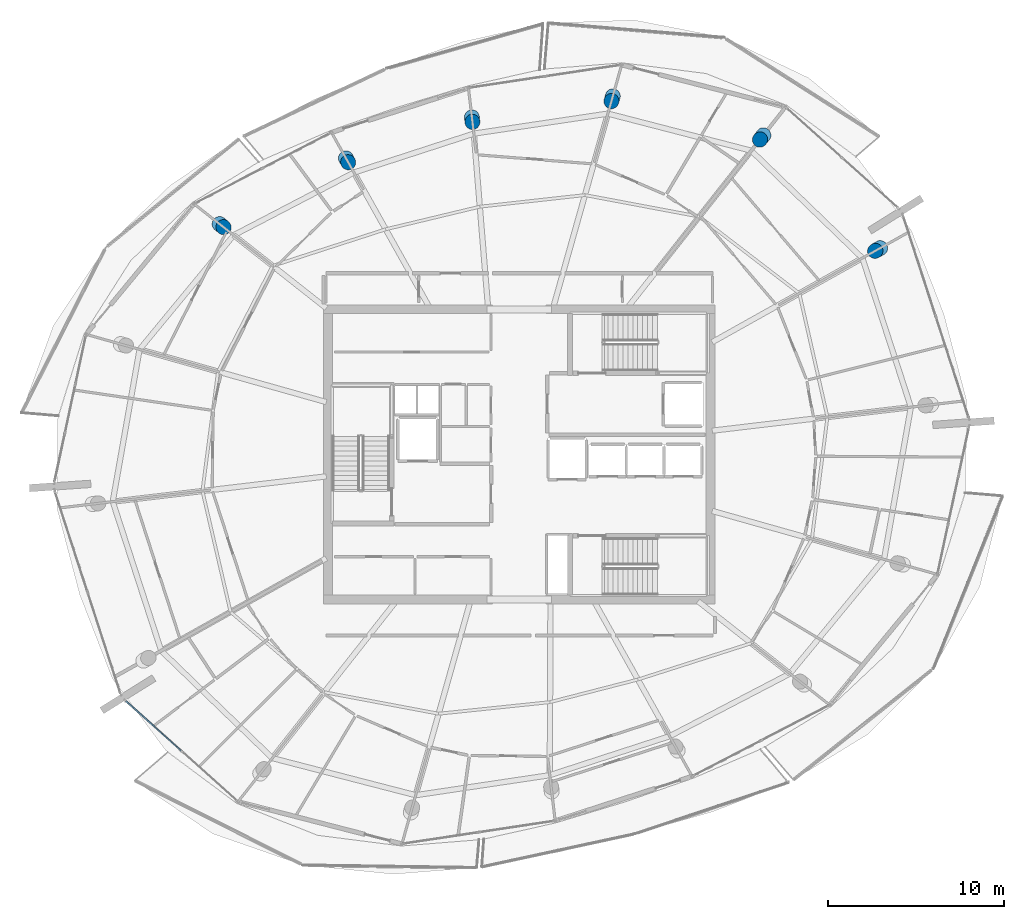
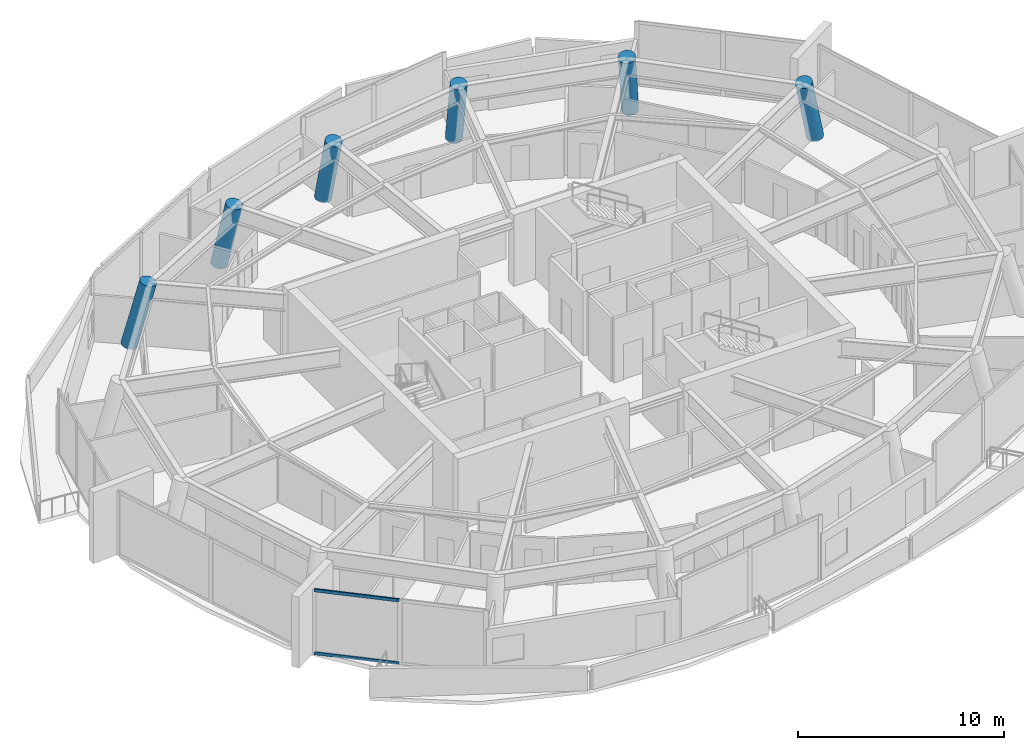
# One storey, part 4 of 19: 6 columns, 2 members, 1 element without a shape of its own.
"""IFC4 building model written with IfcOpenShell, lengths in metres."""

import ifcopenshell
import ifcopenshell.guid

model = None  # the IFC model being written
_history = None  # IfcOwnerHistory: only IFC2X3 demands one
_inside = {}  # id of a spatial element -> (the spatial element, [elements in it])
_under = {}  # id of a project, library or spatial element -> (it, [spatial elements below it])
_declared = {}  # id of a project -> (the project, [libraries it declares])
_typed = {}  # id of a type object -> (the type object, [elements of that type])
_made_of = {}  # id of a material, layer set ... -> (it, [elements and type objects made of it])


def new_model(schema):
    """Start an empty IFC model of exactly this schema.

    Asked for "IFC4X3", IfcOpenShell would pick the latest addendum, in which some entities
    have other attributes; the version numbers below select the first issue.
    IFC2X3 requires an IfcOwnerHistory on every rooted entity: one is made here for all.
    """
    global model, _history
    if schema == "IFC4X3":
        model = ifcopenshell.file(schema_version=(4, 3, 0, 0))
    else:
        model = ifcopenshell.file(schema=schema)
    _inside.clear()
    _under.clear()
    _declared.clear()
    _typed.clear()
    _made_of.clear()
    _history = None
    if model.schema == "IFC2X3":
        org = make("IfcOrganization", Name="unknown")
        user = make(
            "IfcPersonAndOrganization",
            ThePerson=make("IfcPerson", FamilyName="unknown"),
            TheOrganization=org,
        )
        app = make(
            "IfcApplication",
            ApplicationDeveloper=org,
            Version="unknown",
            ApplicationFullName="unknown",
            ApplicationIdentifier="unknown",
        )
        _history = make(
            "IfcOwnerHistory",
            OwningUser=user,
            OwningApplication=app,
            ChangeAction="ADDED",
            CreationDate=0,
        )
    return model


def make(cls, **values):
    """One entity of the class cls with the attributes given. An attribute that is None is left unset."""
    return model.create_entity(
        cls, **{name: value for name, value in values.items() if value is not None}
    )


def rooted(cls, **values):
    """An entity with a GlobalId (a new one), such as an element, a storey or a relation."""
    return make(cls, GlobalId=ifcopenshell.guid.new(), OwnerHistory=_history, **values)


def si_unit(unit_type, name, prefix=None):
    """IfcSIUnit, for example si_unit("LENGTHUNIT", "METRE", prefix="MILLI")."""
    return make("IfcSIUnit", UnitType=unit_type, Prefix=prefix, Name=name)


def assignment(units):
    """IfcUnitAssignment: the units of a project."""
    return None if units is None else make("IfcUnitAssignment", Units=units)


def point(xyz):
    """IfcCartesianPoint."""
    return None if xyz is None else make("IfcCartesianPoint", Coordinates=xyz)


def direction(xyz):
    """IfcDirection."""
    return None if xyz is None else make("IfcDirection", DirectionRatios=xyz)


def frame(location, z_axis=None, x_axis=None):
    """IfcAxis2Placement3D, a coordinate frame: its origin and axes. An axis left out is left unset."""
    return make(
        "IfcAxis2Placement3D",
        Location=point(location),
        Axis=direction(z_axis),
        RefDirection=direction(x_axis),
    )


def frame_2d(location, x_axis=None):
    """IfcAxis2Placement2D, a coordinate frame in the plane: its origin and x axis."""
    return make(
        "IfcAxis2Placement2D", Location=point(location), RefDirection=direction(x_axis)
    )


def origin():
    """The frame at (0, 0, 0) with its axes left unset."""
    return frame((0.0, 0.0, 0.0))


def origin_2d():
    """The frame at (0, 0) in the plane with its x axis left unset."""
    return frame_2d((0.0, 0.0))


def place(relative_to, where):
    """IfcLocalPlacement: puts the frame where relative to a parent placement (None: the world)."""
    return make(
        "IfcLocalPlacement", PlacementRelTo=relative_to, RelativePlacement=where
    )


def context(
    kind, dimensions, precision=None, world=None, true_north=None, identifier=None
):
    """IfcGeometricRepresentationContext, for example the 3D "Model" context."""
    return make(
        "IfcGeometricRepresentationContext",
        ContextIdentifier=identifier,
        ContextType=kind,
        CoordinateSpaceDimension=dimensions,
        Precision=precision,
        WorldCoordinateSystem=world,
        TrueNorth=true_north,
    )


def subcontext(parent, identifier, kind, view, scale=None):
    """IfcGeometricRepresentationSubContext, for example "Body" below "Model"."""
    return make(
        "IfcGeometricRepresentationSubContext",
        ContextIdentifier=identifier,
        ContextType=kind,
        ParentContext=parent,
        TargetScale=scale,
        TargetView=view,
    )


def project(units=None, contexts=None):
    """IfcProject with its units and contexts."""
    return rooted(
        "IfcProject",
        Name="project",
        RepresentationContexts=contexts,
        UnitsInContext=assignment(units),
    )


def spatial(cls, under=None, at=None, **own):
    """A site, building, storey or space (cls), placed at a placement, below another one or the project."""
    s = rooted(cls, ObjectPlacement=at, **own)
    if under is not None:
        _under.setdefault(under.id(), (under, []))[1].append(s)
    return s


def profile(cls, at=None, kind="AREA", **sizes):
    """A parametric profile (cls). Its sizes go by their IFC names, for example OverallWidth=200.0."""
    return make(cls, ProfileType=kind, Position=at, **sizes)


def rectangle(**sizes):
    """IfcRectangleProfileDef."""
    return profile("IfcRectangleProfileDef", **sizes)


def circle(**sizes):
    """IfcCircleProfileDef."""
    return profile("IfcCircleProfileDef", **sizes)


def extrude(swept, where, along, depth):
    """IfcExtrudedAreaSolid: the profile swept, set in the frame where, extruded along a direction by depth."""
    return make(
        "IfcExtrudedAreaSolid",
        SweptArea=swept,
        Position=where,
        ExtrudedDirection=direction(along),
        Depth=depth,
    )


def shape(context_of_items, identifier, shape_type, items):
    """IfcShapeRepresentation: the items that make up one representation, for example the "Body"."""
    return make(
        "IfcShapeRepresentation",
        ContextOfItems=context_of_items,
        RepresentationIdentifier=identifier,
        RepresentationType=shape_type,
        Items=items,
    )


def material(Name=None, Category=None):
    """IfcMaterial."""
    return make("IfcMaterial", Name=Name, Category=Category)


def layer(
    of_material, thickness, ventilated=None, Name=None, Category=None, Priority=None
):
    """IfcMaterialLayer: one layer of a wall or slab, of a material (None: an air gap)."""
    return make(
        "IfcMaterialLayer",
        Material=of_material,
        LayerThickness=thickness,
        IsVentilated=ventilated,
        Name=Name,
        Category=Category,
        Priority=Priority,
    )


def layer_set(layers, Name=None):
    """IfcMaterialLayerSet."""
    return make("IfcMaterialLayerSet", MaterialLayers=layers, LayerSetName=Name)


def material_profile(
    of_material, cross_section, Name=None, Category=None, Priority=None
):
    """IfcMaterialProfile: a cross section and its material."""
    return make(
        "IfcMaterialProfile",
        Name=Name,
        Material=of_material,
        Profile=cross_section,
        Priority=Priority,
        Category=Category,
    )


def profile_set(profiles, Name=None, composite=None):
    """IfcMaterialProfileSet."""
    return make(
        "IfcMaterialProfileSet",
        Name=Name,
        MaterialProfiles=profiles,
        CompositeProfile=composite,
    )


def made_of(thing, what):
    """Note that an element or type object is made of a material, layer set ...; save() writes the relation."""
    if what is not None:
        _made_of.setdefault(what.id(), (what, []))[1].append(thing)
    return thing


def type_object(cls, material=None, **own):
    """A type object (cls), such as IfcWallType, which elements share."""
    return made_of(rooted(cls, **own), material)


def element(
    cls,
    number,
    at=None,
    inside=None,
    cuts=None,
    type_object=None,
    material=None,
    context=None,
    identifier="Body",
    shape_type=None,
    held_by="IfcProductDefinitionShape",
    body=None,
    shapes=None,
    **own,
):
    """One element of the class cls, such as IfcWall. Its Tag is "e" and its number.

    at: its placement. inside: the storey or other place that contains it. cuts: it is an
    opening in that element (IfcRelVoidsElement). A single representation is given by context,
    identifier, shape_type and body (its items); several are given by shapes. held_by: the class
    of the entity that holds the representations. save() writes the other relations.
    """
    e = rooted(cls, Tag="e%d" % number, ObjectPlacement=at, **own)
    if body is not None:
        shapes = [shape(context, identifier, shape_type, body)]
    if shapes is not None:
        e.Representation = make(held_by, Representations=shapes)
    if inside is not None:
        _inside.setdefault(inside.id(), (inside, []))[1].append(e)
    if cuts is not None:
        rooted(
            "IfcRelVoidsElement", RelatingBuildingElement=cuts, RelatedOpeningElement=e
        )
    if type_object is not None:
        _typed.setdefault(type_object.id(), (type_object, []))[1].append(e)
    return made_of(e, material)


def aggregate(whole, parts):
    """IfcRelAggregates: a whole, such as a stair, and the parts it consists of."""
    return rooted("IfcRelAggregates", RelatingObject=whole, RelatedObjects=parts)


def save(model, path):
    """Write the relations noted so far, then the file.

    IfcRelAggregates (storeys below a building ...), IfcRelContainedInSpatialStructure (elements
    in a storey), IfcRelDefinesByType, IfcRelAssociatesMaterial and IfcRelDeclares: one each for
    every whole, place, type object, material and project.
    """
    for whole, parts in _under.values():
        aggregate(whole, parts)
    for where, things in _inside.values():
        rooted(
            "IfcRelContainedInSpatialStructure",
            RelatedElements=things,
            RelatingStructure=where,
        )
    for kind, things in _typed.values():
        rooted("IfcRelDefinesByType", RelatedObjects=things, RelatingType=kind)
    for what, things in _made_of.values():
        rooted("IfcRelAssociatesMaterial", RelatedObjects=things, RelatingMaterial=what)
    for by, libraries in _declared.values():
        rooted("IfcRelDeclares", RelatingContext=by, RelatedDefinitions=libraries)
    model.write(path)


model = new_model("IFC4")

# Units and contexts
model_context = context("Model", 3, precision=1e-05, world=origin(), true_north=direction((0.0, 1.0)))
body_context = subcontext(model_context, "Body", "Model", "MODEL_VIEW")
ifc_project = project(units=[si_unit("LENGTHUNIT", "METRE"), si_unit("AREAUNIT", "SQUARE_METRE"), si_unit("VOLUMEUNIT", "CUBIC_METRE"), si_unit("PLANEANGLEUNIT", "RADIAN"), si_unit("MASSUNIT", "GRAM", prefix="KILO")], contexts=[model_context])

# Site, building, storey
site_placement = place(None, origin())
site = spatial("IfcSite", under=ifc_project, at=site_placement, CompositionType="ELEMENT")
building_placement = place(site_placement, origin())
building = spatial("IfcBuilding", under=site, at=building_placement, Name="Kazma Halo Residences", CompositionType="ELEMENT")
storey_placement = place(building_placement, frame((0.0, 0.0, 347.300048828125)))
storey = spatial("IfcBuildingStorey", under=building, at=storey_placement, Name="L87", CompositionType="ELEMENT", Elevation=347.300048828125)

# Columns
ifc_material_1 = material(Name="Concrete C60/75", Category="concrete")
ifc_material_profile_1 = material_profile(ifc_material_1, circle(Radius=0.425048828125, at=origin_2d()), Name="CIRC850")
ifc_profile_set_1 = profile_set([ifc_material_profile_1], Name="Concrete C60/75")
column_type = type_object("IfcColumnType", Name="COL-PERIM-850", PredefinedType="COLUMN", material=ifc_profile_set_1)
column_1_placement = place(storey_placement, frame((68.96337890625, 53.739990234375, 0.0), z_axis=(-0.234532013765, -0.131375056787, 0.96319018318), x_axis=(0.488708510237, -0.872447128497, 0.0)))
element("IfcColumn", 1, at=column_1_placement, inside=storey, type_object=column_type, Name="L87 perimeter ring column P01", PredefinedType="COLUMN", context=body_context, shape_type="SweptSolid", body=[
    extrude(circle(Radius=0.425048828125, at=origin_2d()), origin(), (0.0, 0.0, 1.0), 3.9453125),
])
column_2_placement = place(storey_placement, frame((62.31591796875, 60.159423828125, 0.0), z_axis=(-0.160640140705, -0.203700881396, 0.965764306709), x_axis=(0.785213254806, -0.619225439139, 0.0)))
element("IfcColumn", 2, at=column_2_placement, inside=storey, type_object=column_type, Name="L87 perimeter ring column P02", PredefinedType="COLUMN", context=body_context, shape_type="SweptSolid", body=[
    extrude(circle(Radius=0.425048828125, at=origin_2d()), origin(), (0.0, 0.0, 1.0), 3.934814453125),
])
column_3_placement = place(storey_placement, frame((53.74658203125, 62.37646484375, 0.0), z_axis=(-0.064758926889, -0.229838041096, 0.971071962448), x_axis=(0.96252315306, -0.271199520325, 0.0)))
element("IfcColumn", 3, at=column_3_placement, inside=storey, type_object=column_type, Name="L87 perimeter ring column P03", PredefinedType="COLUMN", context=body_context, shape_type="SweptSolid", body=[
    extrude(circle(Radius=0.425048828125, at=origin_2d()), origin(), (0.0, 0.0, 1.0), 3.913330078125),
])
for number, where, z_axis, x_axis, name in (
    (4, (45.72998046875, 61.17919921875, 0.0), (0.025702555293, -0.217343315127, 0.975756763759), (0.993080036652, 0.117439519766, 0.0), "L87 perimeter ring column P04"),
    (5, (38.563232421875, 58.8505859375, 0.0), (0.1069476294, -0.19095104288, 0.975756067769), (0.872476708142, 0.488655700621, 0.0), "L87 perimeter ring column P05"),
):
    element("IfcColumn", number, at=place(storey_placement, frame(where, z_axis=z_axis, x_axis=x_axis)), inside=storey, type_object=column_type, Name=name, PredefinedType="COLUMN", context=body_context, shape_type="SweptSolid", body=[
        extrude(circle(Radius=0.425048828125, at=origin_2d()), origin(), (0.0, 0.0, 1.0), 3.89453125),
    ])
column_4_placement = place(storey_placement, frame((31.373779296875, 55.10693359375, 0.0), z_axis=(0.187539260208, -0.147797906664, 0.971074046953), x_axis=(0.618974809296, 0.785410838642, 0.0)))
element("IfcColumn", 6, at=column_4_placement, inside=storey, type_object=column_type, Name="L87 perimeter ring column P06", PredefinedType="COLUMN", context=body_context, shape_type="SweptSolid", body=[
    extrude(circle(Radius=0.425048828125, at=origin_2d()), origin(), (0.0, 0.0, 1.0), 3.913330078125),
])

# Curtain wall, members
ifc_material_2 = material(Name="Aluminium AW-6063 T6 and Triple-Silver Low-E Glass", Category="aluminium")
ifc_layer = layer(ifc_material_2, 0.239990234375)
ifc_layer_set = layer_set([ifc_layer], Name="Aluminium AW-6063 T6 and Triple-Silver Low-E Glass")
curtain_wall_type = type_object("IfcCurtainWallType", Name="CW-SYS-6", PredefinedType="NOTDEFINED", material=ifc_layer_set)
curtain_wall_placement = place(storey_placement, origin())
curtain_wall = element("IfcCurtainWall", 7, at=curtain_wall_placement, inside=storey, type_object=curtain_wall_type, Name="L87 unitised curtain wall B09", PredefinedType="NOTDEFINED")
ifc_material_3 = material(Name="Aluminium AW-6063 T6", Category="aluminium")
ifc_material_profile_2 = material_profile(ifc_material_3, rectangle(XDim=0.080078125, YDim=0.179931640625, at=origin_2d()), Name="CWT-80x180")
ifc_profile_set_2 = profile_set([ifc_material_profile_2], Name="Aluminium AW-6063 T6")
member_type = type_object("IfcMemberType", Name="CW-SYS-6-TRN", PredefinedType="USERDEFINED", material=ifc_profile_set_2)
member_1_placement = place(storey_placement, frame((26.061767578125, 27.95947265625, 0.0400390625), z_axis=(0.744349048391, -0.66779075627, 0.0), x_axis=(0.66779075627, 0.744349048391, 0.0)))
member_1 = element("IfcMember", 8, at=member_1_placement, type_object=member_type, Name="CWS-6 transom 1.1", ObjectType="TRANSOM", PredefinedType="USERDEFINED", context=body_context, shape_type="SweptSolid", body=[
    extrude(rectangle(XDim=0.080078125, YDim=0.179931640625, at=origin_2d()), origin(), (0.0, 0.0, 1.0), 4.19677734375),
])
member_2_placement = place(storey_placement, frame((26.061767578125, 27.95947265625, 3.760009765625), z_axis=(0.744349048391, -0.66779075627, 0.0), x_axis=(0.66779075627, 0.744349048391, 0.0)))
member_2 = element("IfcMember", 9, at=member_2_placement, type_object=member_type, Name="CWS-6 transom 1.2", ObjectType="TRANSOM", PredefinedType="USERDEFINED", context=body_context, shape_type="SweptSolid", body=[
    extrude(rectangle(XDim=0.080078125, YDim=0.179931640625, at=origin_2d()), origin(), (0.0, 0.0, 1.0), 4.19677734375),
])
aggregate(curtain_wall, [member_1, member_2])

save(model, "model.ifc")
